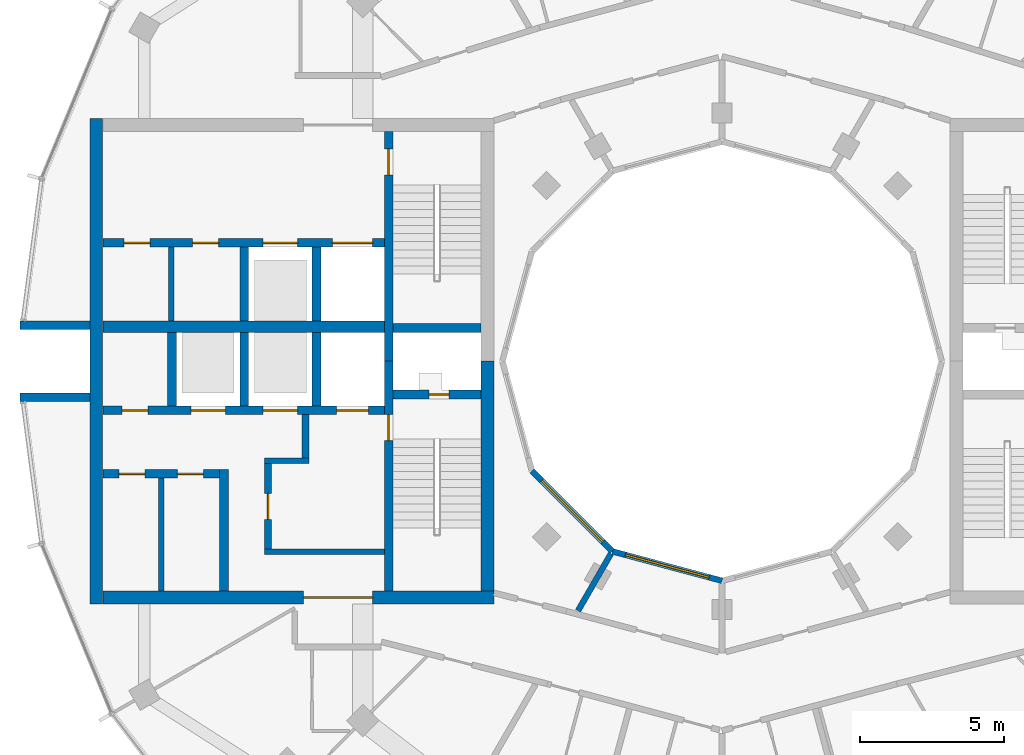
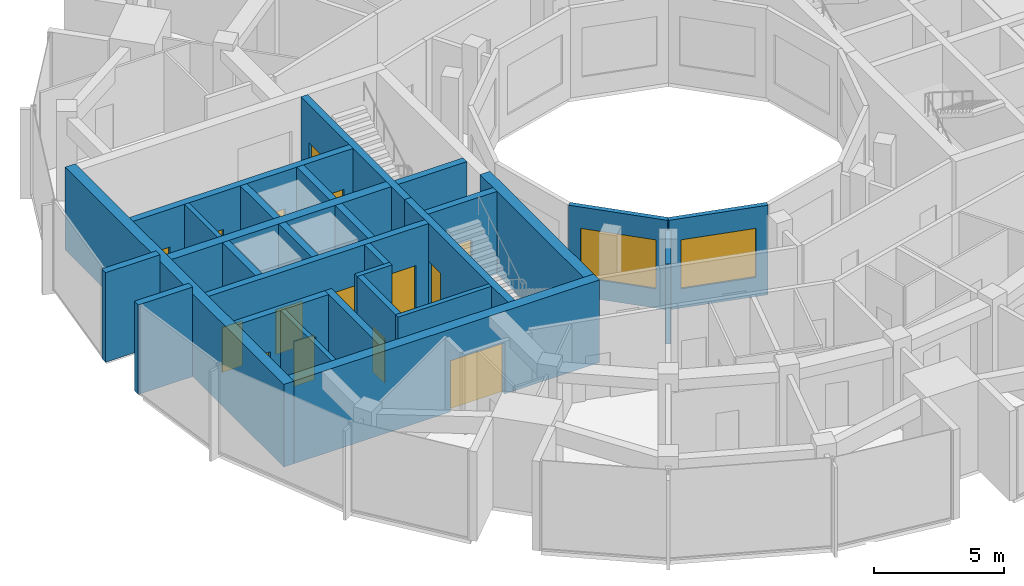
# One storey, part 9 of 15: 28 walls, 15 doors, 2 windows, 17 openings.
"""IFC4 building model written with IfcOpenShell, lengths in metres."""

from ifc_helpers import new_model, si_unit, direction, frame, frame_2d, origin, place, context, subcontext, project, spatial, rectangle, extrude, material, layer, layer_set, type_object, element, fill, save


model = new_model("IFC4")

# Units and contexts
model_context = context("Model", 3, precision=1e-05, world=origin(), true_north=direction((0.0, 1.0)))
body_context = subcontext(model_context, "Body", "Model", "MODEL_VIEW")
ifc_project = project(units=[si_unit("LENGTHUNIT", "METRE"), si_unit("AREAUNIT", "SQUARE_METRE"), si_unit("VOLUMEUNIT", "CUBIC_METRE"), si_unit("PLANEANGLEUNIT", "RADIAN"), si_unit("MASSUNIT", "GRAM", prefix="KILO")], contexts=[model_context])

# Site, building, storey
site_placement = place(None, origin())
site = spatial("IfcSite", under=ifc_project, at=site_placement, CompositionType="ELEMENT")
building_placement = place(site_placement, origin())
building = spatial("IfcBuilding", under=site, at=building_placement, Name="Torre Brocal", CompositionType="ELEMENT")
storey_placement = place(building_placement, frame((0.0, 0.0, 284.10009765625)))
storey = spatial("IfcBuildingStorey", under=building, at=storey_placement, Name="L65", CompositionType="ELEMENT", Elevation=284.10009765625)

# Walls
ifc_material_1 = material(Name="Masonry block", Category="masonry")
ifc_layer_1 = layer(ifc_material_1, 0.199951171875)
ifc_layer_set_1 = layer_set([ifc_layer_1], Name="Masonry block")
wall_type_1 = type_object("IfcWallType", Name="CORE PARTITION 200", PredefinedType="PARTITIONING", material=ifc_layer_set_1)
wall_1_placement = place(storey_placement, frame((60.925048828125, 78.949951171875, 0.0), z_axis=(0.0, 0.0, 1.0), x_axis=(0.0, -1.0, 0.0)))
element("IfcWall", 1, at=wall_1_placement, inside=storey, type_object=wall_type_1, Name="Wall CP200", PredefinedType="PARTITIONING", context=body_context, shape_type="SweptSolid", body=[
    extrude(rectangle(XDim=2.550048828125, YDim=0.199951171875, at=frame_2d((1.27490234375, 0.0))), origin(), (0.0, 0.0, 1.0), 3.8798828125),
])
wall_2_placement = place(storey_placement, frame((60.574951171875, 70.949951171875, 0.0), z_axis=(0.0, 0.0, 1.0), x_axis=(0.0, -1.0, 0.0)))
element("IfcWall", 2, at=wall_2_placement, inside=storey, type_object=wall_type_1, Name="Wall CP200", PredefinedType="PARTITIONING", context=body_context, shape_type="SweptSolid", body=[
    extrude(rectangle(XDim=3.89990234375, YDim=0.199951171875, at=frame_2d((1.949951171875, 0.0))), origin(), (0.0, 0.0, 1.0), 3.8798828125),
])
ifc_material_2 = material(Name="Concrete C50", Category="concrete")
ifc_layer_2 = layer(ifc_material_2, 0.199951171875)
ifc_layer_set_2 = layer_set([ifc_layer_2], Name="Concrete C50")
wall_type_2 = type_object("IfcWallType", Name="CORE WALL 200 C50", PredefinedType="SHEAR", material=ifc_layer_set_2)
wall_3_placement = place(storey_placement, frame((68.300048828125, 68.39990234375, 0.0), z_axis=(0.0, 0.0, 1.0), x_axis=(-1.0, 0.0, 0.0)))
element("IfcWall", 3, at=wall_3_placement, inside=storey, type_object=wall_type_2, Name="Wall CW200-50", PredefinedType="SHEAR", context=body_context, shape_type="SweptSolid", body=[
    extrude(rectangle(XDim=4.150146484375, YDim=0.199951171875, at=frame_2d((2.0751953125, 0.0))), origin(), (0.0, 0.0, 1.0), 3.8798828125),
])
wall_4_placement = place(storey_placement, frame((65.699951171875, 71.550048828125, 0.0), z_axis=(0.0, 0.0, 1.0), x_axis=(-1.0, 0.0, 0.0)))
element("IfcWall", 4, at=wall_4_placement, inside=storey, type_object=wall_type_2, Name="Wall CW200-50", PredefinedType="SHEAR", context=body_context, shape_type="SweptSolid", body=[
    extrude(rectangle(XDim=1.550048828125, YDim=0.199951171875, at=frame_2d((0.77490234375, 0.0))), origin(), (0.0, 0.0, 1.0), 3.8798828125),
])

# Wall, opening, door
ifc_material_3 = material(Name="Concrete C50", Category="concrete")
ifc_layer_3 = layer(ifc_material_3, 0.25)
ifc_layer_set_3 = layer_set([ifc_layer_3], Name="Concrete C50")
wall_type_3 = type_object("IfcWallType", Name="CORE WALL 250 C50", PredefinedType="SHEAR", material=ifc_layer_set_3)
wall_5_placement = place(storey_placement, frame((64.27490234375, 71.449951171875, 0.0), z_axis=(0.0, 0.0, 1.0), x_axis=(0.0, -1.0, 0.0)))
wall_5 = element("IfcWall", 5, at=wall_5_placement, inside=storey, type_object=wall_type_3, Name="Wall CW250-50", PredefinedType="SHEAR", context=body_context, shape_type="SweptSolid", body=[
    extrude(rectangle(XDim=2.949951171875, YDim=0.25, at=frame_2d((1.47509765625, 0.0))), origin(), (0.0, 0.0, 1.0), 3.8798828125),
])
opening_1_placement = place(wall_5_placement, frame((1.02490234375, 0.0, 0.0)))
opening_1 = element("IfcOpeningElement", 6, at=opening_1_placement, cuts=wall_5, Name="Opening W-D26", PredefinedType="OPENING", context=body_context, shape_type="SweptSolid", body=[
    extrude(rectangle(XDim=0.89990234375, YDim=2.10009765625, at=frame_2d((0.449951171875, 1.050048828125))), frame((0.0, 0.135009765625, 0.0), z_axis=(0.0, -1.0, 0.0), x_axis=(1.0, 0.0, 0.0)), (0.0, 0.0, 1.0), 0.27001953125),
])
ifc_material_4 = material(Name="Steel A653", Category="steel")
door_type_1 = type_object("IfcDoorType", Name="LOBBY DOOR FD120 900X2100", OperationType="SINGLE_SWING_RIGHT", PredefinedType="DOOR", material=ifc_material_4)
door_1_placement = place(opening_1_placement, origin())
door_1 = element("IfcDoor", 7, at=door_1_placement, inside=storey, type_object=door_type_1, Name="Door W-D26", OperationType="SINGLE_SWING_LEFT", OverallHeight=2.10009765625, OverallWidth=0.89990234375, PredefinedType="DOOR", context=body_context, shape_type="SweptSolid", body=[
    extrude(rectangle(XDim=0.89990234375, YDim=2.10009765625, at=frame_2d((0.449951171875, 1.050048828125))), frame((0.0, 0.02490234375, 0.0), z_axis=(0.0, -1.0, 0.0), x_axis=(1.0, 0.0, 0.0)), (0.0, 0.0, 1.0), 0.050048828125),
])
fill(opening_1, door_1)

# Wall
wall_6_placement = place(storey_placement, frame((65.574951171875, 73.14990234375, 0.0), z_axis=(0.0, 0.0, 1.0), x_axis=(0.0, -1.0, 0.0)))
element("IfcWall", 8, at=wall_6_placement, inside=storey, type_object=wall_type_3, Name="Wall CW250-50", PredefinedType="SHEAR", context=body_context, shape_type="SweptSolid", body=[
    extrude(rectangle(XDim=1.5, YDim=0.25, at=frame_2d((0.75, 0.0))), origin(), (0.0, 0.0, 1.0), 3.8798828125),
])

# Wall, opening, door
ifc_material_5 = material(Name="Concrete C50", Category="concrete")
ifc_layer_4 = layer(ifc_material_5, 0.300048828125)
ifc_layer_set_4 = layer_set([ifc_layer_4], Name="Concrete C50")
wall_type_4 = type_object("IfcWallType", Name="CORE WALL 300 C50", PredefinedType="SHEAR", material=ifc_layer_set_4)
wall_7_placement = place(storey_placement, frame((68.449951171875, 75.0, 0.0), z_axis=(0.0, 0.0, 1.0), x_axis=(0.0, -1.0, 0.0)))
wall_7 = element("IfcWall", 9, at=wall_7_placement, inside=storey, type_object=wall_type_4, Name="Wall CW300-50", PredefinedType="SHEAR", context=body_context, shape_type="SweptSolid", body=[
    extrude(rectangle(XDim=7.949951171875, YDim=0.300048828125, at=frame_2d((3.97509765625, 0.0))), origin(), (0.0, 0.0, 1.0), 3.8798828125),
])
opening_2_placement = place(wall_7_placement, frame((1.85009765625, 0.0, 0.0)))
opening_2 = element("IfcOpeningElement", 10, at=opening_2_placement, cuts=wall_7, Name="Opening W-D02", PredefinedType="OPENING", context=body_context, shape_type="SweptSolid", body=[
    extrude(rectangle(XDim=0.89990234375, YDim=2.10009765625, at=frame_2d((0.449951171875, 1.050048828125))), frame((0.0, 0.159912109375, 0.0), z_axis=(0.0, -1.0, 0.0), x_axis=(1.0, 0.0, 0.0)), (0.0, 0.0, 1.0), 0.320068359375),
])
ifc_material_6 = material(Name="Steel A653", Category="steel")
door_type_2 = type_object("IfcDoorType", Name="STAIR DOOR FD120 900X2100", OperationType="SINGLE_SWING_RIGHT", PredefinedType="DOOR", material=ifc_material_6)
door_2_placement = place(opening_2_placement, origin())
door_2 = element("IfcDoor", 11, at=door_2_placement, inside=storey, type_object=door_type_2, Name="Door W-D02", OperationType="SINGLE_SWING_LEFT", OverallHeight=2.10009765625, OverallWidth=0.89990234375, PredefinedType="DOOR", context=body_context, shape_type="SweptSolid", body=[
    extrude(rectangle(XDim=0.89990234375, YDim=2.10009765625, at=frame_2d((0.449951171875, 1.050048828125))), frame((0.0, 0.02490234375, 0.0), z_axis=(0.0, -1.0, 0.0), x_axis=(1.0, 0.0, 0.0)), (0.0, 0.0, 1.0), 0.050048828125),
])
fill(opening_2, door_2)

wall_8_placement = place(storey_placement, frame((68.449951171875, 82.949951171875, 0.0), z_axis=(0.0, 0.0, 1.0), x_axis=(0.0, -1.0, 0.0)))
wall_8 = element("IfcWall", 12, at=wall_8_placement, inside=storey, type_object=wall_type_4, Name="Wall CW300-50", PredefinedType="SHEAR", context=body_context, shape_type="SweptSolid", body=[
    extrude(rectangle(XDim=7.949951171875, YDim=0.300048828125, at=frame_2d((3.97509765625, 0.0))), origin(), (0.0, 0.0, 1.0), 3.8798828125),
])
opening_3_placement = place(wall_8_placement, frame((0.60009765625, 0.0, 0.0)))
opening_3 = element("IfcOpeningElement", 13, at=opening_3_placement, cuts=wall_8, Name="Opening W-D03", PredefinedType="OPENING", context=body_context, shape_type="SweptSolid", body=[
    extrude(rectangle(XDim=0.89990234375, YDim=2.10009765625, at=frame_2d((0.449951171875, 1.050048828125))), frame((0.0, 0.159912109375, 0.0), z_axis=(0.0, -1.0, 0.0), x_axis=(1.0, 0.0, 0.0)), (0.0, 0.0, 1.0), 0.320068359375),
])
door_3_placement = place(opening_3_placement, origin())
door_3 = element("IfcDoor", 14, at=door_3_placement, inside=storey, type_object=door_type_2, Name="Door W-D03", OperationType="SINGLE_SWING_LEFT", OverallHeight=2.10009765625, OverallWidth=0.89990234375, PredefinedType="DOOR", context=body_context, shape_type="SweptSolid", body=[
    extrude(rectangle(XDim=0.89990234375, YDim=2.10009765625, at=frame_2d((0.449951171875, 1.050048828125))), frame((0.0, 0.02490234375, 0.0), z_axis=(0.0, -1.0, 0.0), x_axis=(1.0, 0.0, 0.0)), (0.0, 0.0, 1.0), 0.050048828125),
])
fill(opening_3, door_3)

wall_9_placement = place(storey_placement, frame((71.64990234375, 73.85009765625, 0.0), z_axis=(0.0, 0.0, 1.0), x_axis=(-1.0, 0.0, 0.0)))
wall_9 = element("IfcWall", 15, at=wall_9_placement, inside=storey, type_object=wall_type_4, Name="Wall CW300-50", PredefinedType="SHEAR", context=body_context, shape_type="SweptSolid", body=[
    extrude(rectangle(XDim=3.0498046875, YDim=0.300048828125, at=frame_2d((1.52490234375, 0.0))), origin(), (0.0, 0.0, 1.0), 3.8798828125),
])
opening_4_placement = place(wall_9_placement, frame((1.10009765625, 0.0, 0.0)))
opening_4 = element("IfcOpeningElement", 16, at=opening_4_placement, cuts=wall_9, Name="Opening W-D01", PredefinedType="OPENING", context=body_context, shape_type="SweptSolid", body=[
    extrude(rectangle(XDim=0.699951171875, YDim=2.0, at=frame_2d((0.35009765625, 1.0))), frame((0.0, 0.159912109375, 0.0), z_axis=(0.0, -1.0, 0.0), x_axis=(1.0, 0.0, 0.0)), (0.0, 0.0, 1.0), 0.320068359375),
])
ifc_material_7 = material(Name="Steel A653", Category="steel")
door_type_3 = type_object("IfcDoorType", Name="RISER DOOR FD120 700X2000", OperationType="SINGLE_SWING_LEFT", PredefinedType="DOOR", material=ifc_material_7)
door_4_placement = place(opening_4_placement, frame((0.699951171875, 0.0, 0.0), z_axis=(0.0, 0.0, 1.0), x_axis=(-1.0, 0.0, 0.0)))
door_4 = element("IfcDoor", 17, at=door_4_placement, inside=storey, type_object=door_type_3, Name="Door W-D01", OperationType="SINGLE_SWING_RIGHT", OverallHeight=2.0, OverallWidth=0.699951171875, PredefinedType="DOOR", context=body_context, shape_type="SweptSolid", body=[
    extrude(rectangle(XDim=0.699951171875, YDim=2.0, at=frame_2d((0.35009765625, 1.0))), frame((0.0, 0.02490234375, 0.0), z_axis=(0.0, -1.0, 0.0), x_axis=(1.0, 0.0, 0.0)), (0.0, 0.0, 1.0), 0.050048828125),
])
fill(opening_4, door_4)

# Wall
wall_10_placement = place(storey_placement, frame((71.64990234375, 76.14990234375, 0.0), z_axis=(0.0, 0.0, 1.0), x_axis=(-1.0, 0.0, 0.0)))
element("IfcWall", 18, at=wall_10_placement, inside=storey, type_object=wall_type_4, Name="Wall CW300-50", PredefinedType="SHEAR", context=body_context, shape_type="SweptSolid", body=[
    extrude(rectangle(XDim=3.0498046875, YDim=0.300048828125, at=frame_2d((1.52490234375, 0.0))), origin(), (0.0, 0.0, 1.0), 3.8798828125),
])

# Wall, openings, doors
wall_11_placement = place(storey_placement, frame((68.300048828125, 73.300048828125, 0.0), z_axis=(0.0, 0.0, 1.0), x_axis=(-1.0, 0.0, 0.0)))
wall_11 = element("IfcWall", 19, at=wall_11_placement, inside=storey, type_object=wall_type_4, Name="Wall CW300-50", PredefinedType="SHEAR", context=body_context, shape_type="SweptSolid", body=[
    extrude(rectangle(XDim=9.75, YDim=0.300048828125, at=frame_2d((4.875, 0.0))), origin(), (0.0, 0.0, 1.0), 3.8798828125),
])
opening_5_placement = place(wall_11_placement, frame((0.550048828125, 0.0, 0.0)))
opening_5 = element("IfcOpeningElement", 20, at=opening_5_placement, cuts=wall_11, Name="Opening LD", PredefinedType="OPENING", context=body_context, shape_type="SweptSolid", body=[
    extrude(rectangle(XDim=1.10009765625, YDim=2.10009765625, at=frame_2d((0.550048828125, 1.050048828125))), frame((0.0, 0.159912109375, 0.0), z_axis=(0.0, -1.0, 0.0), x_axis=(1.0, 0.0, 0.0)), (0.0, 0.0, 1.0), 0.320068359375),
])
opening_6_placement = place(wall_11_placement, frame((3.0, 0.0, 0.0)))
opening_6 = element("IfcOpeningElement", 21, at=opening_6_placement, cuts=wall_11, Name="Opening LD12", PredefinedType="OPENING", context=body_context, shape_type="SweptSolid", body=[
    extrude(rectangle(XDim=1.199951171875, YDim=2.10009765625, at=frame_2d((0.60009765625, 1.050048828125))), frame((0.0, 0.159912109375, 0.0), z_axis=(0.0, -1.0, 0.0), x_axis=(1.0, 0.0, 0.0)), (0.0, 0.0, 1.0), 0.320068359375),
])
opening_7_placement = place(wall_11_placement, frame((5.5, 0.0, 0.0)))
opening_7 = element("IfcOpeningElement", 22, at=opening_7_placement, cuts=wall_11, Name="Opening LD12", PredefinedType="OPENING", context=body_context, shape_type="SweptSolid", body=[
    extrude(rectangle(XDim=1.199951171875, YDim=2.10009765625, at=frame_2d((0.60009765625, 1.050048828125))), frame((0.0, 0.159912109375, 0.0), z_axis=(0.0, -1.0, 0.0), x_axis=(1.0, 0.0, 0.0)), (0.0, 0.0, 1.0), 0.320068359375),
])
opening_8_placement = place(wall_11_placement, frame((8.175048828125, 0.0, 0.0)))
opening_8 = element("IfcOpeningElement", 23, at=opening_8_placement, cuts=wall_11, Name="Opening W-D04", PredefinedType="OPENING", context=body_context, shape_type="SweptSolid", body=[
    extrude(rectangle(XDim=0.89990234375, YDim=2.10009765625, at=frame_2d((0.449951171875, 1.050048828125))), frame((0.0, 0.159912109375, 0.0), z_axis=(0.0, -1.0, 0.0), x_axis=(1.0, 0.0, 0.0)), (0.0, 0.0, 1.0), 0.320068359375),
])
ifc_material_8 = material(Name="Stainless steel AISI 316", Category="steel")
door_type_4 = type_object("IfcDoorType", Name="LIFT LANDING DOOR 1100X2100", OperationType="DOUBLE_DOOR_SLIDING", PredefinedType="DOOR", material=ifc_material_8)
door_5_placement = place(opening_5_placement, origin())
door_5 = element("IfcDoor", 24, at=door_5_placement, inside=storey, type_object=door_type_4, Name="Door LD", OperationType="DOUBLE_DOOR_SLIDING", OverallHeight=2.10009765625, OverallWidth=1.10009765625, PredefinedType="DOOR", context=body_context, shape_type="SweptSolid", body=[
    extrude(rectangle(XDim=1.10009765625, YDim=2.10009765625, at=frame_2d((0.550048828125, 1.050048828125))), frame((0.0, 0.02490234375, 0.0), z_axis=(0.0, -1.0, 0.0), x_axis=(1.0, 0.0, 0.0)), (0.0, 0.0, 1.0), 0.050048828125),
])
fill(opening_5, door_5)
ifc_material_9 = material(Name="Stainless steel AISI 316", Category="steel")
door_type_5 = type_object("IfcDoorType", Name="LIFT LANDING DOOR 1200X2100", OperationType="DOUBLE_DOOR_SLIDING", PredefinedType="DOOR", material=ifc_material_9)
door_6_placement = place(opening_6_placement, origin())
door_6 = element("IfcDoor", 25, at=door_6_placement, inside=storey, type_object=door_type_5, Name="Door LD12", OperationType="DOUBLE_DOOR_SLIDING", OverallHeight=2.10009765625, OverallWidth=1.199951171875, PredefinedType="DOOR", context=body_context, shape_type="SweptSolid", body=[
    extrude(rectangle(XDim=1.199951171875, YDim=2.10009765625, at=frame_2d((0.60009765625, 1.050048828125))), frame((0.0, 0.02490234375, 0.0), z_axis=(0.0, -1.0, 0.0), x_axis=(1.0, 0.0, 0.0)), (0.0, 0.0, 1.0), 0.050048828125),
])
fill(opening_6, door_6)
door_7_placement = place(opening_7_placement, origin())
door_7 = element("IfcDoor", 26, at=door_7_placement, inside=storey, type_object=door_type_5, Name="Door LD12", OperationType="DOUBLE_DOOR_SLIDING", OverallHeight=2.10009765625, OverallWidth=1.199951171875, PredefinedType="DOOR", context=body_context, shape_type="SweptSolid", body=[
    extrude(rectangle(XDim=1.199951171875, YDim=2.10009765625, at=frame_2d((0.60009765625, 1.050048828125))), frame((0.0, 0.02490234375, 0.0), z_axis=(0.0, -1.0, 0.0), x_axis=(1.0, 0.0, 0.0)), (0.0, 0.0, 1.0), 0.050048828125),
])
fill(opening_7, door_7)
ifc_material_10 = material(Name="Steel A653", Category="steel")
door_type_6 = type_object("IfcDoorType", Name="ROOM DOOR FD30S 900X2100", OperationType="SINGLE_SWING_LEFT", PredefinedType="DOOR", material=ifc_material_10)
door_8_placement = place(opening_8_placement, frame((0.89990234375, 0.0, 0.0), z_axis=(0.0, 0.0, 1.0), x_axis=(-1.0, 0.0, 0.0)))
door_8 = element("IfcDoor", 27, at=door_8_placement, inside=storey, type_object=door_type_6, Name="Door W-D04", OperationType="SINGLE_SWING_LEFT", OverallHeight=2.10009765625, OverallWidth=0.89990234375, PredefinedType="DOOR", context=body_context, shape_type="SweptSolid", body=[
    extrude(rectangle(XDim=0.89990234375, YDim=2.10009765625, at=frame_2d((0.449951171875, 1.050048828125))), frame((0.0, 0.02490234375, 0.0), z_axis=(0.0, -1.0, 0.0), x_axis=(1.0, 0.0, 0.0)), (0.0, 0.0, 1.0), 0.050048828125),
])
fill(opening_8, door_8)

wall_12_placement = place(storey_placement, frame((68.300048828125, 79.10009765625, 0.0), z_axis=(0.0, 0.0, 1.0), x_axis=(-1.0, 0.0, 0.0)))
wall_12 = element("IfcWall", 28, at=wall_12_placement, inside=storey, type_object=wall_type_4, Name="Wall CW300-50", PredefinedType="SHEAR", context=body_context, shape_type="SweptSolid", body=[
    extrude(rectangle(XDim=9.75, YDim=0.300048828125, at=frame_2d((4.875, 0.0))), origin(), (0.0, 0.0, 1.0), 3.8798828125),
])
opening_9_placement = place(wall_12_placement, frame((0.39990234375, 0.0, 0.0)))
opening_9 = element("IfcOpeningElement", 29, at=opening_9_placement, cuts=wall_12, Name="Opening LD14", PredefinedType="OPENING", context=body_context, shape_type="SweptSolid", body=[
    extrude(rectangle(XDim=1.39990234375, YDim=2.10009765625, at=frame_2d((0.699951171875, 1.050048828125))), frame((0.0, 0.159912109375, 0.0), z_axis=(0.0, -1.0, 0.0), x_axis=(1.0, 0.0, 0.0)), (0.0, 0.0, 1.0), 0.320068359375),
])
opening_10_placement = place(wall_12_placement, frame((3.0, 0.0, 0.0)))
opening_10 = element("IfcOpeningElement", 30, at=opening_10_placement, cuts=wall_12, Name="Opening LD12", PredefinedType="OPENING", context=body_context, shape_type="SweptSolid", body=[
    extrude(rectangle(XDim=1.199951171875, YDim=2.10009765625, at=frame_2d((0.60009765625, 1.050048828125))), frame((0.0, 0.159912109375, 0.0), z_axis=(0.0, -1.0, 0.0), x_axis=(1.0, 0.0, 0.0)), (0.0, 0.0, 1.0), 0.320068359375),
])
opening_11_placement = place(wall_12_placement, frame((5.737548828125, 0.0, 0.0)))
opening_11 = element("IfcOpeningElement", 31, at=opening_11_placement, cuts=wall_12, Name="Opening W-D05", PredefinedType="OPENING", context=body_context, shape_type="SweptSolid", body=[
    extrude(rectangle(XDim=0.89990234375, YDim=2.10009765625, at=frame_2d((0.449951171875, 1.050048828125))), frame((0.0, 0.159912109375, 0.0), z_axis=(0.0, -1.0, 0.0), x_axis=(1.0, 0.0, 0.0)), (0.0, 0.0, 1.0), 0.320068359375),
])
opening_12_placement = place(wall_12_placement, frame((8.112548828125, 0.0, 0.0)))
opening_12 = element("IfcOpeningElement", 32, at=opening_12_placement, cuts=wall_12, Name="Opening W-D06", PredefinedType="OPENING", context=body_context, shape_type="SweptSolid", body=[
    extrude(rectangle(XDim=0.89990234375, YDim=2.10009765625, at=frame_2d((0.449951171875, 1.050048828125))), frame((0.0, 0.159912109375, 0.0), z_axis=(0.0, -1.0, 0.0), x_axis=(1.0, 0.0, 0.0)), (0.0, 0.0, 1.0), 0.320068359375),
])
door_9_placement = place(opening_10_placement, origin())
door_9 = element("IfcDoor", 33, at=door_9_placement, inside=storey, type_object=door_type_5, Name="Door LD12", OperationType="DOUBLE_DOOR_SLIDING", OverallHeight=2.10009765625, OverallWidth=1.199951171875, PredefinedType="DOOR", context=body_context, shape_type="SweptSolid", body=[
    extrude(rectangle(XDim=1.199951171875, YDim=2.10009765625, at=frame_2d((0.60009765625, 1.050048828125))), frame((0.0, 0.02490234375, 0.0), z_axis=(0.0, -1.0, 0.0), x_axis=(1.0, 0.0, 0.0)), (0.0, 0.0, 1.0), 0.050048828125),
])
fill(opening_10, door_9)
ifc_material_11 = material(Name="Stainless steel AISI 316", Category="steel")
door_type_7 = type_object("IfcDoorType", Name="LIFT LANDING DOOR 1400X2100", OperationType="DOUBLE_DOOR_SLIDING", PredefinedType="DOOR", material=ifc_material_11)
door_10_placement = place(opening_9_placement, origin())
door_10 = element("IfcDoor", 34, at=door_10_placement, inside=storey, type_object=door_type_7, Name="Door LD14", OperationType="DOUBLE_DOOR_SLIDING", OverallHeight=2.10009765625, OverallWidth=1.39990234375, PredefinedType="DOOR", context=body_context, shape_type="SweptSolid", body=[
    extrude(rectangle(XDim=1.39990234375, YDim=2.10009765625, at=frame_2d((0.699951171875, 1.050048828125))), frame((0.0, 0.02490234375, 0.0), z_axis=(0.0, -1.0, 0.0), x_axis=(1.0, 0.0, 0.0)), (0.0, 0.0, 1.0), 0.050048828125),
])
fill(opening_9, door_10)
door_11_placement = place(opening_11_placement, origin())
door_11 = element("IfcDoor", 35, at=door_11_placement, inside=storey, type_object=door_type_6, Name="Door W-D05", OperationType="SINGLE_SWING_RIGHT", OverallHeight=2.10009765625, OverallWidth=0.89990234375, PredefinedType="DOOR", context=body_context, shape_type="SweptSolid", body=[
    extrude(rectangle(XDim=0.89990234375, YDim=2.10009765625, at=frame_2d((0.449951171875, 1.050048828125))), frame((0.0, 0.02490234375, 0.0), z_axis=(0.0, -1.0, 0.0), x_axis=(1.0, 0.0, 0.0)), (0.0, 0.0, 1.0), 0.050048828125),
])
fill(opening_11, door_11)
door_12_placement = place(opening_12_placement, origin())
door_12 = element("IfcDoor", 36, at=door_12_placement, inside=storey, type_object=door_type_6, Name="Door W-D06", OperationType="SINGLE_SWING_LEFT", OverallHeight=2.10009765625, OverallWidth=0.89990234375, PredefinedType="DOOR", context=body_context, shape_type="SweptSolid", body=[
    extrude(rectangle(XDim=0.89990234375, YDim=2.10009765625, at=frame_2d((0.449951171875, 1.050048828125))), frame((0.0, 0.02490234375, 0.0), z_axis=(0.0, -1.0, 0.0), x_axis=(1.0, 0.0, 0.0)), (0.0, 0.0, 1.0), 0.050048828125),
])
fill(opening_12, door_12)

# Walls
for number, where, z_axis, x_axis, name in (
    (37, (65.949951171875, 76.0, 0.0), (0.0, 0.0, 1.0), (0.0, -1.0, 0.0), "Wall CW300-50"),
    (38, (63.449951171875, 76.0, 0.0), (0.0, 0.0, 1.0), (0.0, -1.0, 0.0), "Wall CW300-50"),
    (39, (60.949951171875, 76.0, 0.0), (0.0, 0.0, 1.0), (0.0, -1.0, 0.0), "Wall CW300-50"),
    (40, (65.949951171875, 78.949951171875, 0.0), (0.0, 0.0, 1.0), (0.0, -1.0, 0.0), "Wall CW300-50"),
    (41, (63.449951171875, 78.949951171875, 0.0), (0.0, 0.0, 1.0), (0.0, -1.0, 0.0), "Wall CW300-50"),
):
    element("IfcWall", number, at=place(storey_placement, frame(where, z_axis=z_axis, x_axis=x_axis)), inside=storey, type_object=wall_type_4, Name=name, PredefinedType="SHEAR", context=body_context, shape_type="SweptSolid", body=[
        extrude(rectangle(XDim=2.550048828125, YDim=0.300048828125, at=frame_2d((1.27490234375, 0.0))), origin(), (0.0, 0.0, 1.0), 3.8798828125),
    ])
wall_13_placement = place(storey_placement, frame((62.75, 71.25, 0.0), z_axis=(0.0, 0.0, 1.0), x_axis=(0.0, -1.0, 0.0)))
element("IfcWall", 42, at=wall_13_placement, inside=storey, type_object=wall_type_4, Name="Wall CW300-50", PredefinedType="SHEAR", context=body_context, shape_type="SweptSolid", body=[
    extrude(rectangle(XDim=4.199951171875, YDim=0.300048828125, at=frame_2d((2.10009765625, 0.0))), origin(), (0.0, 0.0, 1.0), 3.8798828125),
])

# Wall, openings, doors
wall_14_placement = place(storey_placement, frame((62.60009765625, 71.10009765625, 0.0), z_axis=(0.0, 0.0, 1.0), x_axis=(-1.0, 0.0, 0.0)))
wall_14 = element("IfcWall", 43, at=wall_14_placement, inside=storey, type_object=wall_type_4, Name="Wall CW300-50", PredefinedType="SHEAR", context=body_context, shape_type="SweptSolid", body=[
    extrude(rectangle(XDim=4.050048828125, YDim=0.300048828125, at=frame_2d((2.02490234375, 0.0))), origin(), (0.0, 0.0, 1.0), 3.8798828125),
])
opening_13_placement = place(wall_14_placement, frame((0.5625, 0.0, 0.0)))
opening_13 = element("IfcOpeningElement", 44, at=opening_13_placement, cuts=wall_14, Name="Opening W-D28", PredefinedType="OPENING", context=body_context, shape_type="SweptSolid", body=[
    extrude(rectangle(XDim=0.89990234375, YDim=2.10009765625, at=frame_2d((0.449951171875, 1.050048828125))), frame((0.0, 0.159912109375, 0.0), z_axis=(0.0, -1.0, 0.0), x_axis=(1.0, 0.0, 0.0)), (0.0, 0.0, 1.0), 0.320068359375),
])
opening_14_placement = place(wall_14_placement, frame((2.58740234375, 0.0, 0.0)))
opening_14 = element("IfcOpeningElement", 45, at=opening_14_placement, cuts=wall_14, Name="Opening W-D09", PredefinedType="OPENING", context=body_context, shape_type="SweptSolid", body=[
    extrude(rectangle(XDim=0.89990234375, YDim=2.10009765625, at=frame_2d((0.449951171875, 1.050048828125))), frame((0.0, 0.159912109375, 0.0), z_axis=(0.0, -1.0, 0.0), x_axis=(1.0, 0.0, 0.0)), (0.0, 0.0, 1.0), 0.320068359375),
])
door_13_placement = place(opening_13_placement, origin())
door_13 = element("IfcDoor", 46, at=door_13_placement, inside=storey, type_object=door_type_6, Name="Door W-D28", OperationType="SINGLE_SWING_RIGHT", OverallHeight=2.10009765625, OverallWidth=0.89990234375, PredefinedType="DOOR", context=body_context, shape_type="SweptSolid", body=[
    extrude(rectangle(XDim=0.89990234375, YDim=2.10009765625, at=frame_2d((0.449951171875, 1.050048828125))), frame((0.0, 0.02490234375, 0.0), z_axis=(0.0, -1.0, 0.0), x_axis=(1.0, 0.0, 0.0)), (0.0, 0.0, 1.0), 0.050048828125),
])
fill(opening_13, door_13)
door_14_placement = place(opening_14_placement, origin())
door_14 = element("IfcDoor", 47, at=door_14_placement, inside=storey, type_object=door_type_6, Name="Door W-D09", OperationType="SINGLE_SWING_LEFT", OverallHeight=2.10009765625, OverallWidth=0.89990234375, PredefinedType="DOOR", context=body_context, shape_type="SweptSolid", body=[
    extrude(rectangle(XDim=0.89990234375, YDim=2.10009765625, at=frame_2d((0.449951171875, 1.050048828125))), frame((0.0, 0.02490234375, 0.0), z_axis=(0.0, -1.0, 0.0), x_axis=(1.0, 0.0, 0.0)), (0.0, 0.0, 1.0), 0.050048828125),
])
fill(opening_14, door_14)

# Wall
ifc_material_12 = material(Name="Concrete C50", Category="concrete")
ifc_layer_5 = layer(ifc_material_12, 0.39990234375)
ifc_layer_set_5 = layer_set([ifc_layer_5], Name="Concrete C50")
wall_type_5 = type_object("IfcWallType", Name="CORE WALL 400 C50", PredefinedType="SHEAR", material=ifc_layer_set_5)
wall_15_placement = place(storey_placement, frame((68.300048828125, 76.199951171875, 0.0), z_axis=(0.0, 0.0, 1.0), x_axis=(-1.0, 0.0, 0.0)))
element("IfcWall", 48, at=wall_15_placement, inside=storey, type_object=wall_type_5, Name="Wall CW400-50", PredefinedType="SHEAR", context=body_context, shape_type="SweptSolid", body=[
    extrude(rectangle(XDim=9.75, YDim=0.39990234375, at=frame_2d((4.875, 0.0))), origin(), (0.0, 0.0, 1.0), 3.8798828125),
])

# Wall, opening, door
ifc_material_13 = material(Name="Concrete C50", Category="concrete")
ifc_layer_6 = layer(ifc_material_13, 0.449951171875)
ifc_layer_set_6 = layer_set([ifc_layer_6], Name="Concrete C50")
wall_type_6 = type_object("IfcWallType", Name="CORE WALL 450 C50", PredefinedType="SHEAR", material=ifc_layer_set_6)
wall_16_placement = place(storey_placement, frame((72.10009765625, 66.824951171875, 0.0), z_axis=(0.0, 0.0, 1.0), x_axis=(-1.0, 0.0, 0.0)))
wall_16 = element("IfcWall", 49, at=wall_16_placement, inside=storey, type_object=wall_type_6, Name="Wall CW450-50", PredefinedType="SHEAR", context=body_context, shape_type="SweptSolid", body=[
    extrude(rectangle(XDim=13.550048828125, YDim=0.449951171875, at=frame_2d((6.77490234375, 0.0))), origin(), (0.0, 0.0, 1.0), 3.8798828125),
])
opening_15_placement = place(wall_16_placement, frame((4.199951171875, 0.0, 0.0)))
opening_15 = element("IfcOpeningElement", 50, at=opening_15_placement, cuts=wall_16, Name="Opening W-D32", PredefinedType="OPENING", context=body_context, shape_type="SweptSolid", body=[
    extrude(rectangle(XDim=2.39990234375, YDim=2.39990234375, at=frame_2d((1.199951171875, 1.199951171875))), frame((0.0, 0.23486328125, 0.0), z_axis=(0.0, -1.0, 0.0), x_axis=(1.0, 0.0, 0.0)), (0.0, 0.0, 1.0), 0.469970703125),
])
ifc_material_14 = material(Name="Steel A653", Category="steel")
door_type_8 = type_object("IfcDoorType", Name="DOUBLE FIRE DOOR FD90 2400X2400", OperationType="DOUBLE_DOOR_SINGLE_SWING", PredefinedType="DOOR", material=ifc_material_14)
door_15_placement = place(opening_15_placement, frame((2.39990234375, 0.0, 0.0), z_axis=(0.0, 0.0, 1.0), x_axis=(-1.0, 0.0, 0.0)))
door_15 = element("IfcDoor", 51, at=door_15_placement, inside=storey, type_object=door_type_8, Name="Door W-D32", OperationType="DOUBLE_DOOR_SINGLE_SWING", OverallHeight=2.39990234375, OverallWidth=2.39990234375, PredefinedType="DOOR", context=body_context, shape_type="SweptSolid", body=[
    extrude(rectangle(XDim=2.39990234375, YDim=2.39990234375, at=frame_2d((1.199951171875, 1.199951171875))), frame((0.0, 0.02490234375, 0.0), z_axis=(0.0, -1.0, 0.0), x_axis=(1.0, 0.0, 0.0)), (0.0, 0.0, 1.0), 0.050048828125),
])
fill(opening_15, door_15)

# Walls
wall_17_placement = place(storey_placement, frame((71.875, 75.0, 0.0), z_axis=(0.0, 0.0, 1.0), x_axis=(0.0, -1.0, 0.0)))
element("IfcWall", 52, at=wall_17_placement, inside=storey, type_object=wall_type_6, Name="Wall CW450-50", PredefinedType="SHEAR", context=body_context, shape_type="SweptSolid", body=[
    extrude(rectangle(XDim=7.949951171875, YDim=0.449951171875, at=frame_2d((3.97509765625, 0.0))), origin(), (0.0, 0.0, 1.0), 3.8798828125),
])
wall_18_placement = place(storey_placement, frame((58.324951171875, 83.39990234375, 0.0), z_axis=(0.0, 0.0, 1.0), x_axis=(0.0, -1.0, 0.0)))
element("IfcWall", 53, at=wall_18_placement, inside=storey, type_object=wall_type_6, Name="Wall CW450-50", PredefinedType="SHEAR", context=body_context, shape_type="SweptSolid", body=[
    extrude(rectangle(XDim=16.7998046875, YDim=0.449951171875, at=frame_2d((8.39990234375, 0.0))), origin(), (0.0, 0.0, 1.0), 3.8798828125),
])
ifc_material_15 = material(Name="Concrete C50", Category="concrete")
ifc_layer_7 = layer(ifc_material_15, 0.300048828125)
ifc_layer_set_7 = layer_set([ifc_layer_7], Name="Concrete C50")
wall_type_7 = type_object("IfcWallType", Name="NOTCH RETURN WALL 300 C50", PredefinedType="NOTDEFINED", material=ifc_layer_set_7)
for number, where, z_axis, x_axis, name in (
    (54, (58.10009765625, 76.25, 0.0), (0.0, 0.0, 1.0), (-1.0, 0.0, 0.0), "NOTCH RETURN WALL"),
    (55, (58.10009765625, 73.75, 0.0), (0.0, 0.0, 1.0), (-1.0, 0.0, 0.0), "NOTCH RETURN WALL"),
):
    element("IfcWall", number, at=place(storey_placement, frame(where, z_axis=z_axis, x_axis=x_axis)), inside=storey, type_object=wall_type_7, Name=name, PredefinedType="NOTDEFINED", context=body_context, shape_type="SweptSolid", body=[
        extrude(rectangle(XDim=2.415771484375, YDim=0.300048828125, at=frame_2d((1.2080078125, 0.0))), origin(), (0.0, 0.0, 1.0), 4.199951171875),
    ])
ifc_material_16 = material(Name="Gypsum board", Category="Gypsum")
ifc_layer_8 = layer(ifc_material_16, 0.199951171875)
ifc_layer_set_8 = layer_set([ifc_layer_8], Name="Gypsum board")
wall_type_8 = type_object("IfcWallType", Name="PARTITION 200 EI60", PredefinedType="PARTITIONING", material=ifc_layer_set_8)
wall_19_placement = place(storey_placement, frame((75.01220703125, 66.363037109375, 0.0), z_axis=(0.0, 0.0, 1.0), x_axis=(0.500097042406, 0.865969369075, 0.0)))
element("IfcWall", 56, at=wall_19_placement, inside=storey, type_object=wall_type_8, Name="SERVICE ROOM WALL", PredefinedType="PARTITIONING", context=body_context, shape_type="SweptSolid", body=[
    extrude(rectangle(XDim=2.275390625, YDim=0.199951171875, at=frame_2d((1.1376953125, 0.0))), origin(), (0.0, 0.0, 1.0), 3.75),
])

# Wall, opening, window
ifc_material_17 = material(Name="Concrete C40", Category="concrete")
ifc_layer_9 = layer(ifc_material_17, 0.199951171875)
ifc_layer_set_9 = layer_set([ifc_layer_9], Name="Concrete C40")
wall_type_9 = type_object("IfcWallType", Name="WELL FACADE WALL 200", PredefinedType="NOTDEFINED", material=ifc_layer_set_9)
wall_20_placement = place(storey_placement, frame((73.4150390625, 71.1982421875, 0.0), z_axis=(0.0, 0.0, 1.0), x_axis=(0.707106781187, -0.707106781187, 0.0)))
wall_20 = element("IfcWall", 57, at=wall_20_placement, inside=storey, type_object=wall_type_9, Name="WELL FACADE WALL", PredefinedType="NOTDEFINED", context=body_context, shape_type="SweptSolid", body=[
    extrude(rectangle(XDim=3.93603515625, YDim=0.199951171875, at=frame_2d((1.968017578125, 0.0))), origin(), (0.0, 0.0, 1.0), 4.199951171875),
])
opening_16_placement = place(wall_20_placement, frame((0.468017578125, 0.0, 0.89990234375)))
opening_16 = element("IfcOpeningElement", 58, at=opening_16_placement, cuts=wall_20, Name="Opening W1", PredefinedType="OPENING", context=body_context, shape_type="SweptSolid", body=[
    extrude(rectangle(XDim=3.0, YDim=2.300048828125, at=frame_2d((1.5, 1.14990234375))), frame((0.0, 0.10986328125, 0.0), z_axis=(0.0, -1.0, 0.0), x_axis=(1.0, 0.0, 0.0)), (0.0, 0.0, 1.0), 0.219970703125),
])
ifc_material_18 = material(Name="Aluminium and glass", Category="aluminium")
window_type = type_object("IfcWindowType", Name="WELL WINDOW 3000X2300", PartitioningType="SINGLE_PANEL", PredefinedType="WINDOW", material=ifc_material_18)
window_1_placement = place(opening_16_placement, origin())
window_1 = element("IfcWindow", 59, at=window_1_placement, inside=storey, type_object=window_type, Name="WELL WINDOW 3000X2300", OverallHeight=2.300048828125, OverallWidth=3.0, PartitioningType="SINGLE_PANEL", PredefinedType="WINDOW", context=body_context, shape_type="SweptSolid", body=[
    extrude(rectangle(XDim=3.0, YDim=2.300048828125, at=frame_2d((1.5, 1.14990234375))), frame((0.0, 0.030029296875, 0.0), z_axis=(0.0, -1.0, 0.0), x_axis=(1.0, 0.0, 0.0)), (0.0, 0.0, 1.0), 0.06005859375),
])
fill(opening_16, window_1)

wall_21_placement = place(storey_placement, frame((76.1982421875, 68.4150390625, 0.0), z_axis=(0.0, 0.0, 1.0), x_axis=(0.965933654434, -0.258789828301, 0.0)))
wall_21 = element("IfcWall", 60, at=wall_21_placement, inside=storey, type_object=wall_type_9, Name="WELL FACADE WALL", PredefinedType="NOTDEFINED", context=body_context, shape_type="SweptSolid", body=[
    extrude(rectangle(XDim=3.935791015625, YDim=0.199951171875, at=frame_2d((1.9677734375, 0.0))), origin(), (0.0, 0.0, 1.0), 4.199951171875),
])
opening_17_placement = place(wall_21_placement, frame((0.468017578125, 0.0, 0.89990234375)))
opening_17 = element("IfcOpeningElement", 61, at=opening_17_placement, cuts=wall_21, Name="Opening W1", PredefinedType="OPENING", context=body_context, shape_type="SweptSolid", body=[
    extrude(rectangle(XDim=3.0, YDim=2.300048828125, at=frame_2d((1.5, 1.14990234375))), frame((0.0, 0.10986328125, 0.0), z_axis=(0.0, -1.0, 0.0), x_axis=(1.0, 0.0, 0.0)), (0.0, 0.0, 1.0), 0.219970703125),
])
window_2_placement = place(opening_17_placement, origin())
window_2 = element("IfcWindow", 62, at=window_2_placement, inside=storey, type_object=window_type, Name="WELL WINDOW 3000X2300", OverallHeight=2.300048828125, OverallWidth=3.0, PartitioningType="SINGLE_PANEL", PredefinedType="WINDOW", context=body_context, shape_type="SweptSolid", body=[
    extrude(rectangle(XDim=3.0, YDim=2.300048828125, at=frame_2d((1.5, 1.14990234375))), frame((0.0, 0.030029296875, 0.0), z_axis=(0.0, -1.0, 0.0), x_axis=(1.0, 0.0, 0.0)), (0.0, 0.0, 1.0), 0.06005859375),
])
fill(opening_17, window_2)

save(model, "model.ifc")
